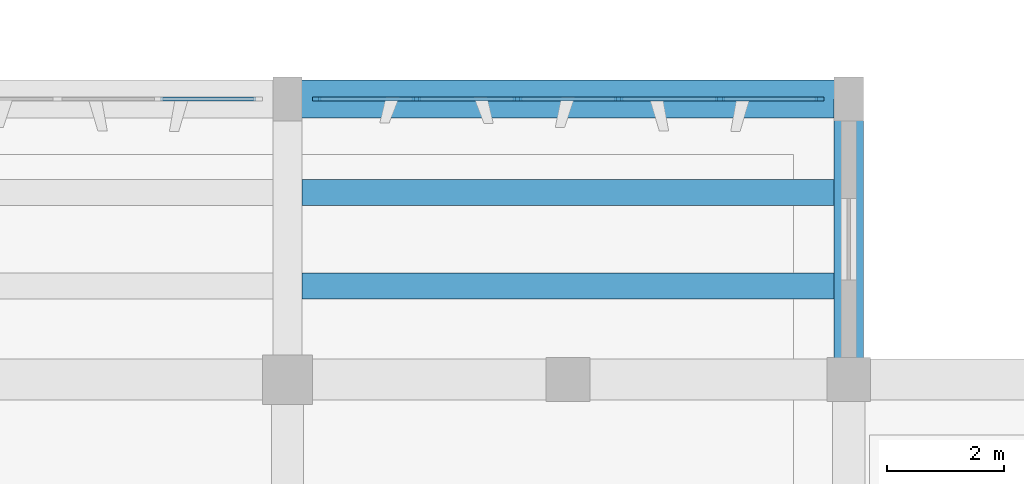
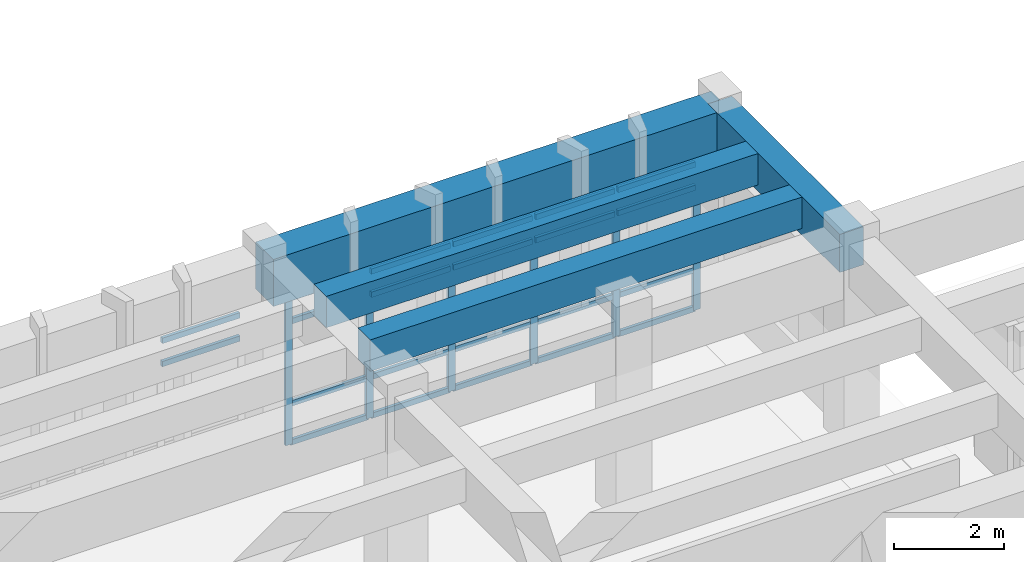
# One storey, part 17 of 86: 28 members, 4 beams, 2 elements without a shape of their own.
"""IFC4 building model written with IfcOpenShell, lengths in metres."""

from ifc_helpers import new_model, si_unit, direction, frame, origin, origin_2d, place, context, subcontext, project, spatial, rectangle, extrude, material, layer, layer_set, material_profile, profile_set, type_object, element, aggregate, save


model = new_model("IFC4")

# Units and contexts
model_context = context("Model", 3, precision=1e-05, world=origin(), true_north=direction((0.0, 1.0)))
body_context = subcontext(model_context, "Body", "Model", "MODEL_VIEW")
ifc_project = project(units=[si_unit("LENGTHUNIT", "METRE"), si_unit("AREAUNIT", "SQUARE_METRE"), si_unit("VOLUMEUNIT", "CUBIC_METRE"), si_unit("PLANEANGLEUNIT", "RADIAN"), si_unit("MASSUNIT", "GRAM", prefix="KILO")], contexts=[model_context])

# Site, building, storey
site_placement = place(None, origin())
site = spatial("IfcSite", under=ifc_project, at=site_placement, CompositionType="ELEMENT")
building_placement = place(site_placement, origin())
building = spatial("IfcBuilding", under=site, at=building_placement, Name="Kolvemor Railside Polytechnic", CompositionType="ELEMENT")
storey_placement = place(building_placement, frame((0.0, 0.0, 5.39990234375)))
storey = spatial("IfcBuildingStorey", under=building, at=storey_placement, Name="L01", CompositionType="ELEMENT", Elevation=5.39990234375)

# Beams
ifc_material_1 = material(Name="Concrete C40/50", Category="concrete")
ifc_material_profile_1 = material_profile(ifc_material_1, rectangle(XDim=0.64990234375, YDim=1.050048828125, at=origin_2d()), Name="RC650x1050")
ifc_profile_set_1 = profile_set([ifc_material_profile_1], Name="Concrete C40/50")
beam_type_1 = type_object("IfcBeamType", Name="BM-RC-GIRD2", PredefinedType="BEAM", material=ifc_profile_set_1)
beam_1_placement = place(storey_placement, frame((115.199951171875, 43.199951171875, 3.955078125), z_axis=(1.0, 0.0, 0.0), x_axis=(0.0, 1.0, 0.0)))
element("IfcBeam", 1, at=beam_1_placement, inside=storey, type_object=beam_type_1, Name="Primary Girder L02-GX 1887", PredefinedType="BEAM", context=body_context, shape_type="SweptSolid", body=[
    extrude(rectangle(XDim=0.64990234375, YDim=1.050048828125, at=origin_2d()), origin(), (0.0, 0.0, 1.0), 9.60009765625),
])
ifc_material_2 = material(Name="Concrete C40/50", Category="concrete")
ifc_material_profile_2 = material_profile(ifc_material_2, rectangle(XDim=0.5, YDim=0.85009765625, at=origin_2d()), Name="RC500x850")
ifc_profile_set_2 = profile_set([ifc_material_profile_2], Name="Concrete C40/50")
beam_type_2 = type_object("IfcBeamType", Name="BM-RC-GIRD3", PredefinedType="BEAM", material=ifc_profile_set_2)
beam_2_placement = place(storey_placement, frame((124.800048828125, 38.39990234375, 4.05517578125), z_axis=(0.0, 1.0, 0.0), x_axis=(-1.0, 0.0, 0.0)))
element("IfcBeam", 2, at=beam_2_placement, inside=storey, type_object=beam_type_2, Name="Primary Girder L02-GY 1895", PredefinedType="BEAM", context=body_context, shape_type="SweptSolid", body=[
    extrude(rectangle(XDim=0.5, YDim=0.85009765625, at=origin_2d()), origin(), (0.0, 0.0, 1.0), 4.800048828125),
])
ifc_material_3 = material(Name="Concrete C40/50", Category="concrete")
ifc_material_profile_3 = material_profile(ifc_material_3, rectangle(XDim=0.449951171875, YDim=0.699951171875, at=origin_2d()), Name="RC450x700")
ifc_profile_set_3 = profile_set([ifc_material_profile_3], Name="Concrete C40/50")
beam_type_3 = type_object("IfcBeamType", Name="BM-RC-SEC2", PredefinedType="JOIST", material=ifc_profile_set_3)
for number, where, z_axis, x_axis, name in (
    (3, (115.449951171875, 40.0, 4.130126953125), (1.0, 0.0, 0.0), (0.0, 1.0, 0.0), "Floor Joist L02-J1908"),
    (4, (115.449951171875, 41.60009765625, 4.130126953125), (1.0, 0.0, 0.0), (0.0, 1.0, 0.0), "Floor Joist L02-J1909"),
):
    element("IfcBeam", number, at=place(storey_placement, frame(where, z_axis=z_axis, x_axis=x_axis)), inside=storey, type_object=beam_type_3, Name=name, PredefinedType="JOIST", context=body_context, shape_type="SweptSolid", body=[
        extrude(rectangle(XDim=0.449951171875, YDim=0.699951171875, at=origin_2d()), origin(), (0.0, 0.0, 1.0), 9.10009765625),
    ])

# Curtain wall, members
ifc_material_4 = material(Name="Anodised marine aluminium and laminated low-E glass", Category="aluminium")
ifc_layer = layer(ifc_material_4, 0.179931640625, Name="CW-UNIT-STD")
ifc_layer_set = layer_set([ifc_layer], Name="Anodised marine aluminium and laminated low-E glass")
curtain_wall_type = type_object("IfcCurtainWallType", Name="CW-UNIT-STD", PredefinedType="USERDEFINED", material=ifc_layer_set)
curtain_wall_1_placement = place(storey_placement, origin())
curtain_wall_1 = element("IfcCurtainWall", 5, at=curtain_wall_1_placement, inside=storey, type_object=curtain_wall_type, Name="Curtain Wall L01-119", ObjectType="UNITISED CURTAIN WALL", PredefinedType="USERDEFINED")
ifc_material_5 = material(Name="Anodised marine aluminium 6063-T6", Category="aluminium")
ifc_material_profile_4 = material_profile(ifc_material_5, rectangle(XDim=0.06494140625, YDim=0.14990234375, at=origin_2d()), Name="CW-MUL-65x150")
ifc_profile_set_4 = profile_set([ifc_material_profile_4], Name="Anodised marine aluminium 6063-T6")
member_type_1 = type_object("IfcMemberType", Name="CWM-65x150", PredefinedType="MULLION", material=ifc_profile_set_4)
member_1_placement = place(storey_placement, frame((124.297607421875, 43.199951171875, 0.0), z_axis=(0.0, 0.0, 1.0), x_axis=(0.0, -1.0, 0.0)))
member_1 = element("IfcMember", 6, at=member_1_placement, type_object=member_type_1, Name="CW-STD mullion 1", PredefinedType="MULLION", context=body_context, shape_type="SweptSolid", body=[
    extrude(rectangle(XDim=0.06494140625, YDim=0.14990234375, at=origin_2d()), origin(), (0.0, 0.0, 1.0), 3.280029296875),
])
member_2_placement = place(storey_placement, frame((122.597900390625, 43.199951171875, 0.0), z_axis=(0.0, 0.0, 1.0), x_axis=(0.0, -1.0, 0.0)))
member_2 = element("IfcMember", 7, at=member_2_placement, type_object=member_type_1, Name="CW-STD mullion 2", PredefinedType="MULLION", context=body_context, shape_type="SweptSolid", body=[
    extrude(rectangle(XDim=0.06494140625, YDim=0.14990234375, at=origin_2d()), origin(), (0.0, 0.0, 1.0), 3.280029296875),
])
member_3_placement = place(storey_placement, frame((120.865966796875, 43.199951171875, 0.0), z_axis=(0.0, 0.0, 1.0), x_axis=(0.0, -1.0, 0.0)))
member_3 = element("IfcMember", 8, at=member_3_placement, type_object=member_type_1, Name="CW-STD mullion 3", PredefinedType="MULLION", context=body_context, shape_type="SweptSolid", body=[
    extrude(rectangle(XDim=0.06494140625, YDim=0.14990234375, at=origin_2d()), origin(), (0.0, 0.0, 1.0), 3.280029296875),
])
member_4_placement = place(storey_placement, frame((119.134033203125, 43.199951171875, 0.0), z_axis=(0.0, 0.0, 1.0), x_axis=(0.0, -1.0, 0.0)))
member_4 = element("IfcMember", 9, at=member_4_placement, type_object=member_type_1, Name="CW-STD mullion 4", PredefinedType="MULLION", context=body_context, shape_type="SweptSolid", body=[
    extrude(rectangle(XDim=0.06494140625, YDim=0.14990234375, at=origin_2d()), origin(), (0.0, 0.0, 1.0), 3.280029296875),
])
member_5_placement = place(storey_placement, frame((117.402099609375, 43.199951171875, 0.0), z_axis=(0.0, 0.0, 1.0), x_axis=(0.0, -1.0, 0.0)))
member_5 = element("IfcMember", 10, at=member_5_placement, type_object=member_type_1, Name="CW-STD mullion 5", PredefinedType="MULLION", context=body_context, shape_type="SweptSolid", body=[
    extrude(rectangle(XDim=0.06494140625, YDim=0.14990234375, at=origin_2d()), origin(), (0.0, 0.0, 1.0), 3.280029296875),
])
member_6_placement = place(storey_placement, frame((115.702392578125, 43.199951171875, 0.0), z_axis=(0.0, 0.0, 1.0), x_axis=(0.0, -1.0, 0.0)))
member_6 = element("IfcMember", 11, at=member_6_placement, type_object=member_type_1, Name="CW-STD mullion 6", PredefinedType="MULLION", context=body_context, shape_type="SweptSolid", body=[
    extrude(rectangle(XDim=0.06494140625, YDim=0.14990234375, at=origin_2d()), origin(), (0.0, 0.0, 1.0), 3.280029296875),
])

curtain_wall_2_placement = place(storey_placement, origin())
curtain_wall_2 = element("IfcCurtainWall", 12, at=curtain_wall_2_placement, inside=storey, type_object=curtain_wall_type, Name="Curtain Wall L01-118", ObjectType="UNITISED CURTAIN WALL", PredefinedType="USERDEFINED")
ifc_material_6 = material(Name="Anodised marine aluminium 6063-T6", Category="aluminium")
ifc_material_profile_5 = material_profile(ifc_material_6, rectangle(XDim=0.06494140625, YDim=0.1201171875, at=origin_2d()), Name="CW-TRN-65x120")
ifc_profile_set_5 = profile_set([ifc_material_profile_5], Name="Anodised marine aluminium 6063-T6")
member_type_2 = type_object("IfcMemberType", Name="CWT-65x120", PredefinedType="USERDEFINED", material=ifc_profile_set_5)
member_7_placement = place(storey_placement, frame((114.6650390625, 43.199951171875, 2.72998046875), z_axis=(-1.0, 0.0, 0.0), x_axis=(0.0, -1.0, 0.0)))
member_7 = element("IfcMember", 13, at=member_7_placement, type_object=member_type_2, Name="CW-STD transom 1.3", ObjectType="TRANSOM", PredefinedType="USERDEFINED", context=body_context, shape_type="SweptSolid", body=[
    extrude(rectangle(XDim=0.06494140625, YDim=0.1201171875, at=origin_2d()), origin(), (0.0, 0.0, 1.0), 1.634521484375),
])
member_8_placement = place(storey_placement, frame((114.6650390625, 43.199951171875, 3.24755859375), z_axis=(-1.0, 0.0, 0.0), x_axis=(0.0, -1.0, 0.0)))
member_8 = element("IfcMember", 14, at=member_8_placement, type_object=member_type_2, Name="CW-STD transom 1.4", ObjectType="TRANSOM", PredefinedType="USERDEFINED", context=body_context, shape_type="SweptSolid", body=[
    extrude(rectangle(XDim=0.06494140625, YDim=0.1201171875, at=origin_2d()), origin(), (0.0, 0.0, 1.0), 1.634521484375),
])
aggregate(curtain_wall_2, [member_7, member_8])

# Member
member_9_placement = place(storey_placement, frame((124.264892578125, 43.199951171875, 0.03271484375), z_axis=(-1.0, 0.0, 0.0), x_axis=(0.0, -1.0, 0.0)))
member_9 = element("IfcMember", 15, at=member_9_placement, type_object=member_type_2, Name="CW-STD transom 1.1", ObjectType="TRANSOM", PredefinedType="USERDEFINED", context=body_context, shape_type="SweptSolid", body=[
    extrude(rectangle(XDim=0.06494140625, YDim=0.1201171875, at=origin_2d()), origin(), (0.0, 0.0, 1.0), 1.63427734375),
])

member_10_placement = place(storey_placement, frame((124.264892578125, 43.199951171875, 0.900146484375), z_axis=(-1.0, 0.0, 0.0), x_axis=(0.0, -1.0, 0.0)))
member_10 = element("IfcMember", 16, at=member_10_placement, type_object=member_type_2, Name="CW-STD transom 1.2", ObjectType="TRANSOM", PredefinedType="USERDEFINED", context=body_context, shape_type="SweptSolid", body=[
    extrude(rectangle(XDim=0.06494140625, YDim=0.1201171875, at=origin_2d()), origin(), (0.0, 0.0, 1.0), 1.63427734375),
])

member_11_placement = place(storey_placement, frame((124.264892578125, 43.199951171875, 2.72998046875), z_axis=(-1.0, 0.0, 0.0), x_axis=(0.0, -1.0, 0.0)))
member_11 = element("IfcMember", 17, at=member_11_placement, type_object=member_type_2, Name="CW-STD transom 1.3", ObjectType="TRANSOM", PredefinedType="USERDEFINED", context=body_context, shape_type="SweptSolid", body=[
    extrude(rectangle(XDim=0.06494140625, YDim=0.1201171875, at=origin_2d()), origin(), (0.0, 0.0, 1.0), 1.63427734375),
])

member_12_placement = place(storey_placement, frame((124.264892578125, 43.199951171875, 3.24755859375), z_axis=(-1.0, 0.0, 0.0), x_axis=(0.0, -1.0, 0.0)))
member_12 = element("IfcMember", 18, at=member_12_placement, type_object=member_type_2, Name="CW-STD transom 1.4", ObjectType="TRANSOM", PredefinedType="USERDEFINED", context=body_context, shape_type="SweptSolid", body=[
    extrude(rectangle(XDim=0.06494140625, YDim=0.1201171875, at=origin_2d()), origin(), (0.0, 0.0, 1.0), 1.63427734375),
])

member_13_placement = place(storey_placement, frame((122.5654296875, 43.199951171875, 0.03271484375), z_axis=(-1.0, 0.0, 0.0), x_axis=(0.0, -1.0, 0.0)))
member_13 = element("IfcMember", 19, at=member_13_placement, type_object=member_type_2, Name="CW-STD transom 2.1", ObjectType="TRANSOM", PredefinedType="USERDEFINED", context=body_context, shape_type="SweptSolid", body=[
    extrude(rectangle(XDim=0.06494140625, YDim=0.1201171875, at=origin_2d()), origin(), (0.0, 0.0, 1.0), 1.6669921875),
])

member_14_placement = place(storey_placement, frame((122.5654296875, 43.199951171875, 0.900146484375), z_axis=(-1.0, 0.0, 0.0), x_axis=(0.0, -1.0, 0.0)))
member_14 = element("IfcMember", 20, at=member_14_placement, type_object=member_type_2, Name="CW-STD transom 2.2", ObjectType="TRANSOM", PredefinedType="USERDEFINED", context=body_context, shape_type="SweptSolid", body=[
    extrude(rectangle(XDim=0.06494140625, YDim=0.1201171875, at=origin_2d()), origin(), (0.0, 0.0, 1.0), 1.6669921875),
])

member_15_placement = place(storey_placement, frame((122.5654296875, 43.199951171875, 2.72998046875), z_axis=(-1.0, 0.0, 0.0), x_axis=(0.0, -1.0, 0.0)))
member_15 = element("IfcMember", 21, at=member_15_placement, type_object=member_type_2, Name="CW-STD transom 2.3", ObjectType="TRANSOM", PredefinedType="USERDEFINED", context=body_context, shape_type="SweptSolid", body=[
    extrude(rectangle(XDim=0.06494140625, YDim=0.1201171875, at=origin_2d()), origin(), (0.0, 0.0, 1.0), 1.6669921875),
])

member_16_placement = place(storey_placement, frame((122.5654296875, 43.199951171875, 3.24755859375), z_axis=(-1.0, 0.0, 0.0), x_axis=(0.0, -1.0, 0.0)))
member_16 = element("IfcMember", 22, at=member_16_placement, type_object=member_type_2, Name="CW-STD transom 2.4", ObjectType="TRANSOM", PredefinedType="USERDEFINED", context=body_context, shape_type="SweptSolid", body=[
    extrude(rectangle(XDim=0.06494140625, YDim=0.1201171875, at=origin_2d()), origin(), (0.0, 0.0, 1.0), 1.6669921875),
])

member_17_placement = place(storey_placement, frame((120.83349609375, 43.199951171875, 0.03271484375), z_axis=(-1.0, 0.0, 0.0), x_axis=(0.0, -1.0, 0.0)))
member_17 = element("IfcMember", 23, at=member_17_placement, type_object=member_type_2, Name="CW-STD transom 3.1", ObjectType="TRANSOM", PredefinedType="USERDEFINED", context=body_context, shape_type="SweptSolid", body=[
    extrude(rectangle(XDim=0.06494140625, YDim=0.1201171875, at=origin_2d()), origin(), (0.0, 0.0, 1.0), 1.6669921875),
])

member_18_placement = place(storey_placement, frame((120.83349609375, 43.199951171875, 0.900146484375), z_axis=(-1.0, 0.0, 0.0), x_axis=(0.0, -1.0, 0.0)))
member_18 = element("IfcMember", 24, at=member_18_placement, type_object=member_type_2, Name="CW-STD transom 3.2", ObjectType="TRANSOM", PredefinedType="USERDEFINED", context=body_context, shape_type="SweptSolid", body=[
    extrude(rectangle(XDim=0.06494140625, YDim=0.1201171875, at=origin_2d()), origin(), (0.0, 0.0, 1.0), 1.6669921875),
])

member_19_placement = place(storey_placement, frame((120.83349609375, 43.199951171875, 2.72998046875), z_axis=(-1.0, 0.0, 0.0), x_axis=(0.0, -1.0, 0.0)))
member_19 = element("IfcMember", 25, at=member_19_placement, type_object=member_type_2, Name="CW-STD transom 3.3", ObjectType="TRANSOM", PredefinedType="USERDEFINED", context=body_context, shape_type="SweptSolid", body=[
    extrude(rectangle(XDim=0.06494140625, YDim=0.1201171875, at=origin_2d()), origin(), (0.0, 0.0, 1.0), 1.6669921875),
])

member_20_placement = place(storey_placement, frame((120.83349609375, 43.199951171875, 3.24755859375), z_axis=(-1.0, 0.0, 0.0), x_axis=(0.0, -1.0, 0.0)))
member_20 = element("IfcMember", 26, at=member_20_placement, type_object=member_type_2, Name="CW-STD transom 3.4", ObjectType="TRANSOM", PredefinedType="USERDEFINED", context=body_context, shape_type="SweptSolid", body=[
    extrude(rectangle(XDim=0.06494140625, YDim=0.1201171875, at=origin_2d()), origin(), (0.0, 0.0, 1.0), 1.6669921875),
])

member_21_placement = place(storey_placement, frame((119.1015625, 43.199951171875, 0.03271484375), z_axis=(-1.0, 0.0, 0.0), x_axis=(0.0, -1.0, 0.0)))
member_21 = element("IfcMember", 27, at=member_21_placement, type_object=member_type_2, Name="CW-STD transom 4.1", ObjectType="TRANSOM", PredefinedType="USERDEFINED", context=body_context, shape_type="SweptSolid", body=[
    extrude(rectangle(XDim=0.06494140625, YDim=0.1201171875, at=origin_2d()), origin(), (0.0, 0.0, 1.0), 1.6669921875),
])

member_22_placement = place(storey_placement, frame((119.1015625, 43.199951171875, 0.900146484375), z_axis=(-1.0, 0.0, 0.0), x_axis=(0.0, -1.0, 0.0)))
member_22 = element("IfcMember", 28, at=member_22_placement, type_object=member_type_2, Name="CW-STD transom 4.2", ObjectType="TRANSOM", PredefinedType="USERDEFINED", context=body_context, shape_type="SweptSolid", body=[
    extrude(rectangle(XDim=0.06494140625, YDim=0.1201171875, at=origin_2d()), origin(), (0.0, 0.0, 1.0), 1.6669921875),
])

member_23_placement = place(storey_placement, frame((119.1015625, 43.199951171875, 2.72998046875), z_axis=(-1.0, 0.0, 0.0), x_axis=(0.0, -1.0, 0.0)))
member_23 = element("IfcMember", 29, at=member_23_placement, type_object=member_type_2, Name="CW-STD transom 4.3", ObjectType="TRANSOM", PredefinedType="USERDEFINED", context=body_context, shape_type="SweptSolid", body=[
    extrude(rectangle(XDim=0.06494140625, YDim=0.1201171875, at=origin_2d()), origin(), (0.0, 0.0, 1.0), 1.6669921875),
])

member_24_placement = place(storey_placement, frame((119.1015625, 43.199951171875, 3.24755859375), z_axis=(-1.0, 0.0, 0.0), x_axis=(0.0, -1.0, 0.0)))
member_24 = element("IfcMember", 30, at=member_24_placement, type_object=member_type_2, Name="CW-STD transom 4.4", ObjectType="TRANSOM", PredefinedType="USERDEFINED", context=body_context, shape_type="SweptSolid", body=[
    extrude(rectangle(XDim=0.06494140625, YDim=0.1201171875, at=origin_2d()), origin(), (0.0, 0.0, 1.0), 1.6669921875),
])

member_25_placement = place(storey_placement, frame((117.369384765625, 43.199951171875, 0.03271484375), z_axis=(-1.0, 0.0, 0.0), x_axis=(0.0, -1.0, 0.0)))
member_25 = element("IfcMember", 31, at=member_25_placement, type_object=member_type_2, Name="CW-STD transom 5.1", ObjectType="TRANSOM", PredefinedType="USERDEFINED", context=body_context, shape_type="SweptSolid", body=[
    extrude(rectangle(XDim=0.06494140625, YDim=0.1201171875, at=origin_2d()), origin(), (0.0, 0.0, 1.0), 1.63427734375),
])

member_26_placement = place(storey_placement, frame((117.369384765625, 43.199951171875, 0.900146484375), z_axis=(-1.0, 0.0, 0.0), x_axis=(0.0, -1.0, 0.0)))
member_26 = element("IfcMember", 32, at=member_26_placement, type_object=member_type_2, Name="CW-STD transom 5.2", ObjectType="TRANSOM", PredefinedType="USERDEFINED", context=body_context, shape_type="SweptSolid", body=[
    extrude(rectangle(XDim=0.06494140625, YDim=0.1201171875, at=origin_2d()), origin(), (0.0, 0.0, 1.0), 1.63427734375),
])

member_27_placement = place(storey_placement, frame((117.369384765625, 43.199951171875, 2.72998046875), z_axis=(-1.0, 0.0, 0.0), x_axis=(0.0, -1.0, 0.0)))
member_27 = element("IfcMember", 33, at=member_27_placement, type_object=member_type_2, Name="CW-STD transom 5.3", ObjectType="TRANSOM", PredefinedType="USERDEFINED", context=body_context, shape_type="SweptSolid", body=[
    extrude(rectangle(XDim=0.06494140625, YDim=0.1201171875, at=origin_2d()), origin(), (0.0, 0.0, 1.0), 1.63427734375),
])

member_28_placement = place(storey_placement, frame((117.369384765625, 43.199951171875, 3.24755859375), z_axis=(-1.0, 0.0, 0.0), x_axis=(0.0, -1.0, 0.0)))
member_28 = element("IfcMember", 34, at=member_28_placement, type_object=member_type_2, Name="CW-STD transom 5.4", ObjectType="TRANSOM", PredefinedType="USERDEFINED", context=body_context, shape_type="SweptSolid", body=[
    extrude(rectangle(XDim=0.06494140625, YDim=0.1201171875, at=origin_2d()), origin(), (0.0, 0.0, 1.0), 1.63427734375),
])

aggregate(curtain_wall_1, [member_1, member_2, member_3, member_4, member_5, member_6, member_9, member_10, member_11, member_12, member_13, member_14, member_15, member_16, member_17, member_18, member_19, member_20, member_21, member_22, member_23, member_24, member_25, member_26, member_27, member_28])

save(model, "model.ifc")
